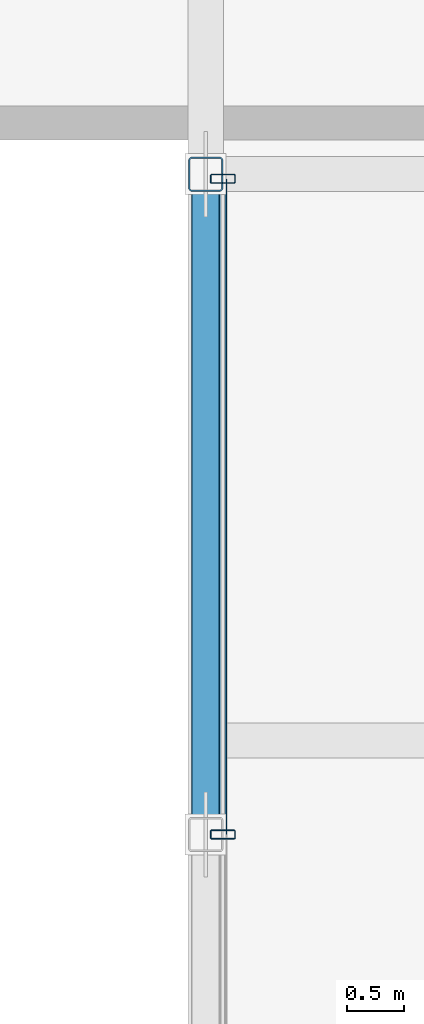
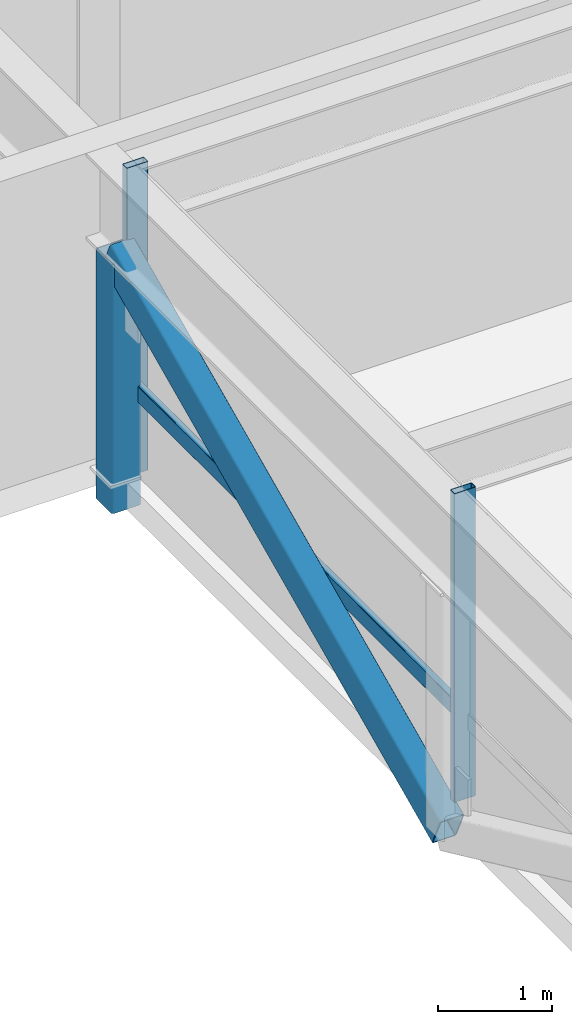
# One storey, part 6 of 36: 5 members, 1 element without a shape of its own.
"""IFC4 building model written with IfcOpenShell, lengths in metres."""

from ifc_helpers import new_model, si_unit, direction, frame, origin, origin_2d, place, context, subcontext, project, spatial, hollow_rectangle, extrude, material, layer, layer_set, material_profile, profile_set, type_object, element, aggregate, save


model = new_model("IFC4")

# Units and contexts
model_context = context("Model", 3, precision=1e-05, world=origin(), true_north=direction((0.0, 1.0)))
body_context = subcontext(model_context, "Body", "Model", "MODEL_VIEW")
ifc_project = project(units=[si_unit("LENGTHUNIT", "METRE"), si_unit("AREAUNIT", "SQUARE_METRE"), si_unit("VOLUMEUNIT", "CUBIC_METRE"), si_unit("PLANEANGLEUNIT", "RADIAN"), si_unit("MASSUNIT", "GRAM", prefix="KILO")], contexts=[model_context])

# Site, building, storey
site_placement = place(None, origin())
site = spatial("IfcSite", under=ifc_project, at=site_placement, CompositionType="ELEMENT")
building_placement = place(site_placement, origin())
building = spatial("IfcBuilding", under=site, at=building_placement, Name="Korimba Cascade Residences", CompositionType="ELEMENT")
storey_placement = place(building_placement, frame((0.0, 0.0, 142.89990234375)))
storey = spatial("IfcBuildingStorey", under=building, at=storey_placement, Name="L41", CompositionType="ELEMENT", Elevation=142.89990234375)

# Curtain wall, members
ifc_material_1 = material(Name="Anodised Aluminium Curtain Wall Framing", Category="aluminium")
ifc_layer = layer(ifc_material_1, 0.179931640625)
ifc_layer_set = layer_set([ifc_layer], Name="Anodised Aluminium Curtain Wall Framing")
curtain_wall_type = type_object("IfcCurtainWallType", Name="CW-BRG-SYS3", PredefinedType="NOTDEFINED", material=ifc_layer_set)
curtain_wall_placement = place(storey_placement, origin())
curtain_wall = element("IfcCurtainWall", 1, at=curtain_wall_placement, inside=storey, type_object=curtain_wall_type, Name="L41 Curtain Wall CW-L41-BRG-W", PredefinedType="NOTDEFINED")
ifc_material_2 = material(Name="Anodised Aluminium Mullion", Category="aluminium")
ifc_material_profile_1 = material_profile(ifc_material_2, hollow_rectangle(XDim=0.080078125, YDim=0.219970703125, WallThickness=0.00634765625, InnerFilletRadius=0.00634765625, OuterFilletRadius=0.0126953125, at=origin_2d()), Name="Anodised Aluminium Mullion")
ifc_profile_set_1 = profile_set([ifc_material_profile_1], Name="Anodised Aluminium Mullion")
member_type_1 = type_object("IfcMemberType", Name="CWM-MUL-220", PredefinedType="MULLION", material=ifc_profile_set_1)
member_1_placement = place(storey_placement, frame((82.25, 44.699951171875, 0.0), z_axis=(0.0, 0.0, 1.0), x_axis=(0.0, 1.0, 0.0)))
member_1 = element("IfcMember", 2, at=member_1_placement, type_object=member_type_1, Name="CW-L41-BRG-W Mullion 3", PredefinedType="MULLION", context=body_context, shape_type="SweptSolid", body=[
    extrude(hollow_rectangle(XDim=0.080078125, YDim=0.219970703125, WallThickness=0.00634765625, InnerFilletRadius=0.00634765625, OuterFilletRadius=0.0126953125, at=origin_2d()), origin(), (0.0, 0.0, 1.0), 3.31005859375),
])
member_2_placement = place(storey_placement, frame((82.25, 50.4599609375, 0.0), z_axis=(0.0, 0.0, 1.0), x_axis=(0.0, 1.0, 0.0)))
member_2 = element("IfcMember", 3, at=member_2_placement, type_object=member_type_1, Name="CW-L41-BRG-W Mullion 4", PredefinedType="MULLION", context=body_context, shape_type="SweptSolid", body=[
    extrude(hollow_rectangle(XDim=0.080078125, YDim=0.219970703125, WallThickness=0.00634765625, InnerFilletRadius=0.00634765625, OuterFilletRadius=0.0126953125, at=origin_2d()), origin(), (0.0, 0.0, 1.0), 3.31005859375),
])
ifc_material_3 = material(Name="Anodised Aluminium Transom", Category="aluminium")
ifc_material_profile_2 = material_profile(ifc_material_3, hollow_rectangle(XDim=0.070068359375, YDim=0.179931640625, WallThickness=0.0048828125, InnerFilletRadius=0.0048828125, OuterFilletRadius=0.010009765625, at=origin_2d()), Name="Anodised Aluminium Transom")
ifc_profile_set_2 = profile_set([ifc_material_profile_2], Name="Anodised Aluminium Transom")
member_type_2 = type_object("IfcMemberType", Name="CWM-TRN-150", PredefinedType="USERDEFINED", material=ifc_profile_set_2)
member_3_placement = place(storey_placement, frame((82.25, 44.699951171875, 0.900146484375), z_axis=(0.0, 1.0, 0.0), x_axis=(-1.0, 0.0, 0.0)))
member_3 = element("IfcMember", 4, at=member_3_placement, type_object=member_type_2, Name="CW-L41-BRG-W Transom 3", ObjectType="TRANSOM", PredefinedType="USERDEFINED", context=body_context, shape_type="SweptSolid", body=[
    extrude(hollow_rectangle(XDim=0.070068359375, YDim=0.179931640625, WallThickness=0.0048828125, InnerFilletRadius=0.0048828125, OuterFilletRadius=0.010009765625, at=origin_2d()), origin(), (0.0, 0.0, 1.0), 5.760009765625),
])
aggregate(curtain_wall, [member_1, member_2, member_3])

# Members
ifc_material_4 = material(Name="Steel S460", Category="steel")
ifc_material_profile_3 = material_profile(ifc_material_4, hollow_rectangle(XDim=0.25, YDim=0.35009765625, WallThickness=0.012451171875, InnerFilletRadius=0.012451171875, OuterFilletRadius=0.02490234375, at=origin_2d()), Name="Steel S460")
ifc_profile_set_3 = profile_set([ifc_material_profile_3], Name="Steel S460")
member_type_3 = type_object("IfcMemberType", Name="MEM-BRG-SHS350", PredefinedType="BRACE", material=ifc_profile_set_3)
member_4_placement = place(storey_placement, frame((82.10009765625, 44.699951171875, -0.289794921875), z_axis=(0.0, 0.9081740859, 0.418592677552), x_axis=(-1.0, 0.0, 0.0)))
element("IfcMember", 5, at=member_4_placement, inside=storey, type_object=member_type_3, Name="L41 Mid-Bridge Warren Diagonal W3", PredefinedType="BRACE", context=body_context, shape_type="SweptSolid", body=[
    extrude(hollow_rectangle(XDim=0.25, YDim=0.35009765625, WallThickness=0.012451171875, InnerFilletRadius=0.012451171875, OuterFilletRadius=0.02490234375, at=origin_2d()), origin(), (0.0, 0.0, 1.0), 6.386474609375),
])
ifc_material_profile_4 = material_profile(ifc_material_4, hollow_rectangle(XDim=0.300048828125, YDim=0.300048828125, WallThickness=0.012451171875, InnerFilletRadius=0.012451171875, OuterFilletRadius=0.02490234375, at=origin_2d()), Name="Steel S460")
ifc_profile_set_4 = profile_set([ifc_material_profile_4], Name="Steel S460")
member_type_4 = type_object("IfcMemberType", Name="MEM-BRG-STR300", PredefinedType="STRUT", material=ifc_profile_set_4)
member_5_placement = place(storey_placement, frame((82.10009765625, 50.5, -0.289794921875), z_axis=(0.0, 0.0, 1.0), x_axis=(1.0, 0.0, 0.0)))
element("IfcMember", 6, at=member_5_placement, inside=storey, type_object=member_type_4, Name="L41 Mid-Bridge Warren Web Post W4", PredefinedType="STRUT", context=body_context, shape_type="SweptSolid", body=[
    extrude(hollow_rectangle(XDim=0.300048828125, YDim=0.300048828125, WallThickness=0.012451171875, InnerFilletRadius=0.012451171875, OuterFilletRadius=0.02490234375, at=origin_2d()), origin(), (0.0, 0.0, 1.0), 2.67333984375),
])

save(model, "model.ifc")
